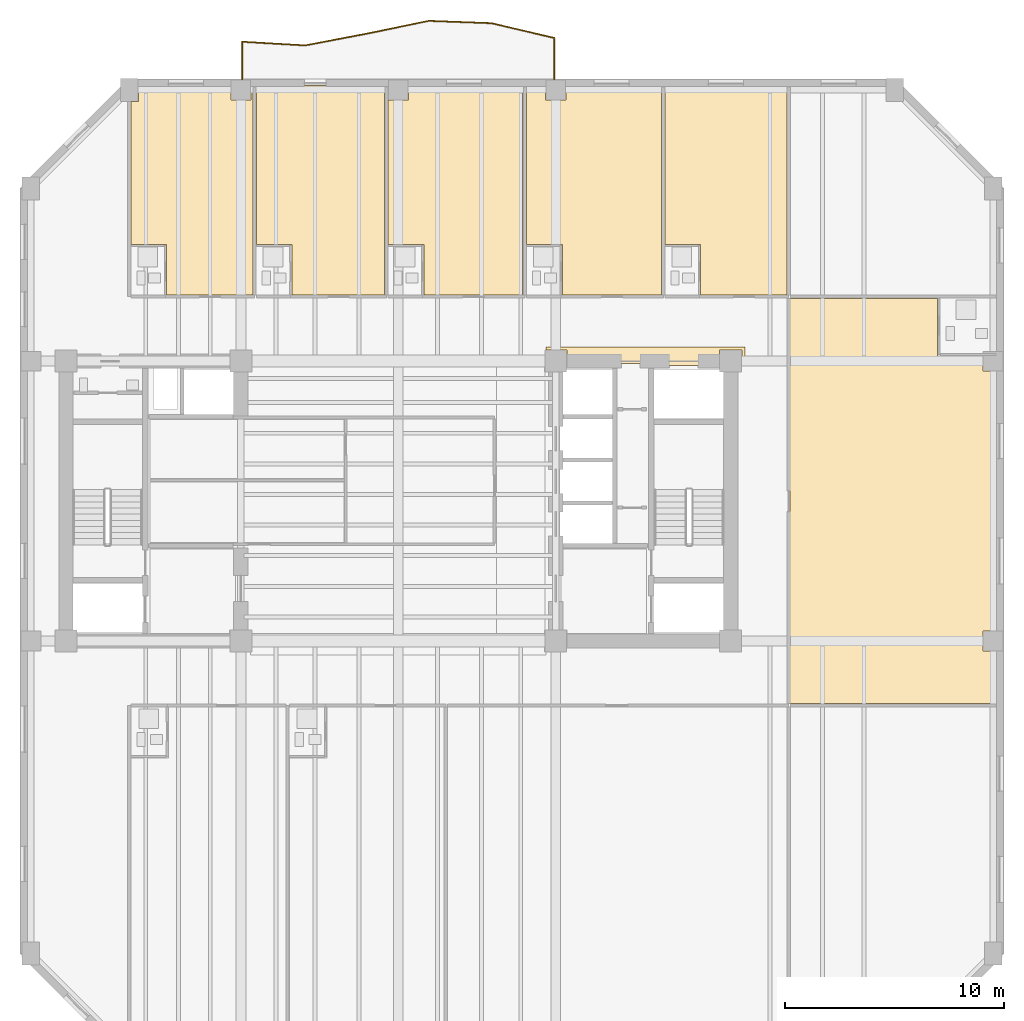
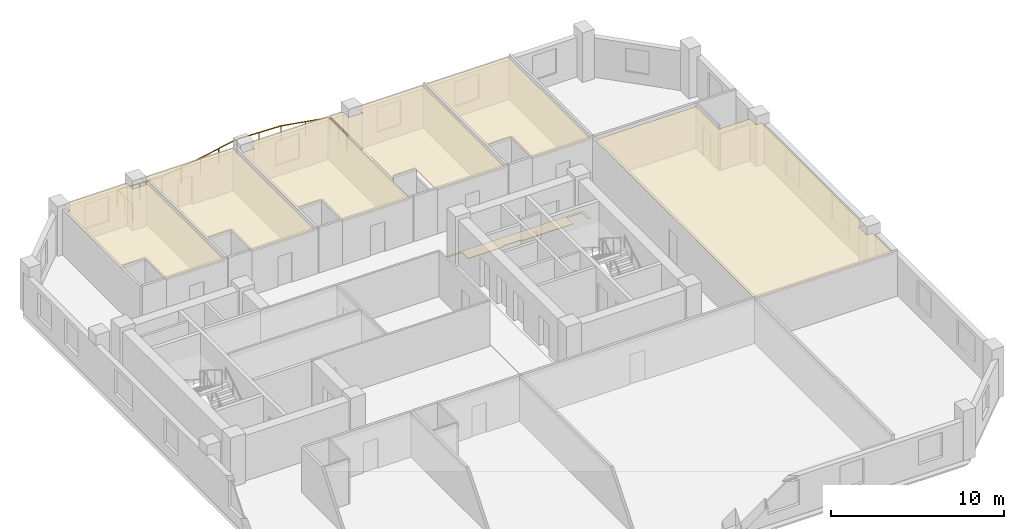
# One storey, part 9 of 10: 7 coverings, 1 railing.
"""IFC4 building model written with IfcOpenShell, lengths in metres."""

from ifc_helpers import new_model, si_unit, direction, frame, origin, origin_2d, place, context, subcontext, project, spatial, polyline, circle, outline, extrude, material, layer, layer_set, type_object, element, save


model = new_model("IFC4")

# Units and contexts
model_context = context("Model", 3, precision=1e-05, world=origin(), true_north=direction((0.0, 1.0)))
body_context = subcontext(model_context, "Body", "Model", "MODEL_VIEW")
ifc_project = project(units=[si_unit("LENGTHUNIT", "METRE"), si_unit("AREAUNIT", "SQUARE_METRE"), si_unit("VOLUMEUNIT", "CUBIC_METRE"), si_unit("PLANEANGLEUNIT", "RADIAN"), si_unit("MASSUNIT", "GRAM", prefix="KILO")], contexts=[model_context])

# Site, building, storey
site_placement = place(None, origin())
site = spatial("IfcSite", under=ifc_project, at=site_placement, CompositionType="ELEMENT")
building_placement = place(site_placement, origin())
building = spatial("IfcBuilding", under=site, at=building_placement, Name="Kranthara Brick Stack", CompositionType="ELEMENT")
storey_placement = place(building_placement, frame((0.0, 0.0, 144.800048828125)))
storey = spatial("IfcBuildingStorey", under=building, at=storey_placement, Name="L36", CompositionType="ELEMENT", Elevation=144.800048828125)

# Coverings
ifc_material_1 = material(Name="Perforated mineral-fibre acoustic ceiling tile", Category="other")
ifc_layer_1 = layer(ifc_material_1, 0.02490234375)
ifc_layer_set_1 = layer_set([ifc_layer_1], Name="Perforated mineral-fibre acoustic ceiling tile")
covering_type_1 = type_object("IfcCoveringType", Name="COV-CEIL-ACOUSTIC", PredefinedType="CEILING", material=ifc_layer_set_1)
covering_1_placement = place(storey_placement, frame((0.0, 0.0, 2.929931640625)))
element("IfcCovering", 1, at=covering_1_placement, inside=storey, type_object=covering_type_1, Name="L36 Room L36-04 Hotel Guest Room Acoustic Ceiling", PredefinedType="CEILING", context=body_context, shape_type="SweptSolid", body=[
    extrude(outline(polyline([(21.347900390625, 36.6298828125), (17.409912109375, 36.6298828125), (17.409912109375, 38.93994140625), (15.780029296875, 38.93994140625), (15.780029296875, 45.465087890625), (16.110107421875, 45.465087890625), (16.110107421875, 46.199951171875), (20.340087890625, 46.199951171875), (20.340087890625, 45.5400390625), (21.260009765625, 45.5400390625), (21.260009765625, 46.199951171875), (21.347900390625, 46.199951171875), (21.347900390625, 36.6298828125)])), origin(), (0.0, 0.0, 1.0), 0.02490234375),
])
covering_2_placement = place(storey_placement, frame((0.0, 0.0, 2.929931640625)))
element("IfcCovering", 2, at=covering_2_placement, inside=storey, type_object=covering_type_1, Name="L36 Room L36-05 Hotel Guest Room Acoustic Ceiling", PredefinedType="CEILING", context=body_context, shape_type="SweptSolid", body=[
    extrude(outline(polyline([(23.137939453125, 36.6298828125), (27.37890625, 36.6298828125), (27.37890625, 46.199951171875), (21.508056640625, 46.199951171875), (21.508056640625, 38.93994140625), (23.137939453125, 38.93994140625), (23.137939453125, 36.6298828125)])), origin(), (0.0, 0.0, 1.0), 0.02490234375),
])
covering_3_placement = place(storey_placement, frame((0.0, 0.0, 2.929931640625)))
element("IfcCovering", 3, at=covering_3_placement, inside=storey, type_object=covering_type_1, Name="L36 Room L36-06 Hotel Guest Room Acoustic Ceiling", PredefinedType="CEILING", context=body_context, shape_type="SweptSolid", body=[
    extrude(outline(polyline([(33.7099609375, 46.199951171875), (33.7099609375, 36.6298828125), (29.1689453125, 36.6298828125), (29.1689453125, 38.93994140625), (27.5390625, 38.93994140625), (27.5390625, 46.199951171875), (27.5400390625, 46.199951171875), (27.5400390625, 45.5400390625), (28.4599609375, 45.5400390625), (28.4599609375, 46.199951171875), (33.7099609375, 46.199951171875)])), origin(), (0.0, 0.0, 1.0), 0.02490234375),
])
covering_4_placement = place(storey_placement, frame((0.0, 0.0, 2.929931640625)))
element("IfcCovering", 4, at=covering_4_placement, inside=storey, type_object=covering_type_1, Name="L36 Room L36-07 Hotel Guest Room Acoustic Ceiling", PredefinedType="CEILING", context=body_context, shape_type="SweptSolid", body=[
    extrude(outline(polyline([(40.041015625, 46.199951171875), (40.041015625, 36.6298828125), (35.5, 36.6298828125), (35.5, 38.93994140625), (33.8701171875, 38.93994140625), (33.8701171875, 46.199951171875), (34.739990234375, 46.199951171875), (34.739990234375, 45.5400390625), (35.659912109375, 45.5400390625), (35.659912109375, 46.199951171875), (40.041015625, 46.199951171875)])), origin(), (0.0, 0.0, 1.0), 0.02490234375),
])
covering_5_placement = place(storey_placement, frame((0.0, 0.0, 2.929931640625)))
element("IfcCovering", 5, at=covering_5_placement, inside=storey, type_object=covering_type_1, Name="L36 Room L36-08 Corner Junior Suite Acoustic Ceiling", PredefinedType="CEILING", context=body_context, shape_type="SweptSolid", body=[
    extrude(outline(polyline([(41.8310546875, 36.6298828125), (45.77001953125, 36.6298828125), (45.77001953125, 46.199951171875), (40.200927734375, 46.199951171875), (40.200927734375, 38.93994140625), (41.8310546875, 38.93994140625), (41.8310546875, 36.6298828125)])), origin(), (0.0, 0.0, 1.0), 0.02490234375),
])
covering_6_placement = place(storey_placement, frame((0.0, 0.0, 2.929931640625)))
element("IfcCovering", 6, at=covering_6_placement, inside=storey, type_object=covering_type_1, Name="L36 Room L36-09 Corner Junior Suite Acoustic Ceiling", PredefinedType="CEILING", context=body_context, shape_type="SweptSolid", body=[
    extrude(outline(polyline([(45.919921875, 17.929931640625), (45.919921875, 36.469970703125), (52.669921875, 36.469970703125), (52.669921875, 33.840087890625), (54.739990234375, 33.840087890625), (54.739990234375, 33.139892578125), (55.1298828125, 33.139892578125), (55.1298828125, 21.260009765625), (54.739990234375, 21.260009765625), (54.739990234375, 20.340087890625), (55.1298828125, 20.340087890625), (55.1298828125, 17.929931640625), (45.919921875, 17.929931640625)])), origin(), (0.0, 0.0, 1.0), 0.02490234375),
])
ifc_material_2 = material(Name="Honed terrazzo and porcelain floor finish", Category="stone")
ifc_layer_2 = layer(ifc_material_2, 0.030029296875)
ifc_layer_set_2 = layer_set([ifc_layer_2], Name="Honed terrazzo and porcelain floor finish")
covering_type_2 = type_object("IfcCoveringType", Name="COV-FLOR-STONE", PredefinedType="FLOORING", material=ifc_layer_set_2)
covering_7_placement = place(storey_placement, origin())
element("IfcCovering", 7, at=covering_7_placement, inside=storey, type_object=covering_type_2, Name="L36 Lift Lobby Stone Flooring", PredefinedType="FLOORING", context=body_context, shape_type="SweptSolid", body=[
    extrude(outline(polyline([(43.7099609375, 33.39990234375), (43.7099609375, 34.110107421875), (42.68994140625, 34.110107421875), (42.68994140625, 33.39990234375), (39.35009765625, 33.39990234375), (39.35009765625, 33.47998046875), (38.050048828125, 33.47998046875), (38.050048828125, 33.39990234375), (35.7099609375, 33.39990234375), (35.7099609375, 34.110107421875), (34.75, 34.110107421875), (34.75, 34.25), (43.85009765625, 34.25), (43.85009765625, 33.39990234375), (43.7099609375, 33.39990234375)])), origin(), (0.0, 0.0, 1.0), 0.030029296875),
])

# Railing
ifc_material_3 = material(Name="Bronze anodised aluminium and laminated glass balustrade", Category="aluminium")
railing_type = type_object("IfcRailingType", Name="RL-BALC-1120", PredefinedType="BALUSTRADE", material=ifc_material_3)
railing_placement = place(storey_placement, frame((20.860107421875, 46.43994140625, 0.0)))
element("IfcRailing", 8, at=railing_placement, inside=storey, type_object=railing_type, Name="L36 North Rippling Balcony Balustrade", PredefinedType="BALUSTRADE", context=body_context, shape_type="SweptSolid", body=[
    extrude(circle(Radius=0.02392578125, at=origin_2d()), frame((0.0, 0.0, 1.09619140625), z_axis=(0.0, 1.0, 0.0), x_axis=(-1.0, 0.0, 0.0)), (0.0, 0.0, 1.0), 1.765625),
    extrude(circle(Radius=0.02392578125, at=origin_2d()), frame((0.0, 1.765625, 1.09619140625), z_axis=(0.998327941102, -0.05780416953, 0.0), x_axis=(0.05780416953, 0.998327941102, 0.0)), (0.0, 0.0, 1.0), 2.884765625),
    extrude(circle(Radius=0.02392578125, at=origin_2d()), frame((2.8798828125, 1.598876953125, 1.09619140625), z_axis=(0.982353889836, 0.187031642042, 0.0), x_axis=(-0.187031642042, 0.982353889836, 0.0)), (0.0, 0.0, 1.0), 2.927978515625),
    extrude(circle(Radius=0.02392578125, at=origin_2d()), frame((5.756103515625, 2.146484375, 1.09619140625), z_axis=(0.979209730576, 0.202850446253, 0.0), x_axis=(-0.202850446253, 0.979209730576, 0.0)), (0.0, 0.0, 1.0), 2.83544921875),
    extrude(circle(Radius=0.02392578125, at=origin_2d()), frame((8.53271484375, 2.7216796875, 1.09619140625), z_axis=(0.999306068928, -0.037247558352, 0.0), x_axis=(0.037247558352, 0.999306068928, 0.0)), (0.0, 0.0, 1.0), 2.870849609375),
    extrude(circle(Radius=0.02392578125, at=origin_2d()), frame((11.401611328125, 2.61474609375, 1.09619140625), z_axis=(0.973437737904, -0.228951895437, 0.0), x_axis=(0.228951895437, 0.973437737904, 0.0)), (0.0, 0.0, 1.0), 2.95703125),
    extrude(circle(Radius=0.02392578125, at=origin_2d()), frame((14.280029296875, 1.937744140625, 1.09619140625), z_axis=(-0.000125992187, -0.999999992063, 0.0), x_axis=(0.999999992063, -0.000125992187, 0.0)), (0.0, 0.0, 1.0), 1.937744140625),
    extrude(circle(Radius=0.02099609375, at=origin_2d()), origin(), (0.0, 0.0, 1.0), 1.072021484375),
    extrude(circle(Radius=0.02099609375, at=origin_2d()), frame((0.0, 0.8828125, 0.0)), (0.0, 0.0, 1.0), 1.072021484375),
    extrude(circle(Radius=0.02099609375, at=origin_2d()), frame((0.0, 1.765625, 0.0)), (0.0, 0.0, 1.0), 1.072021484375),
    extrude(circle(Radius=0.02099609375, at=origin_2d()), frame((1.43994140625, 1.68212890625, 0.0)), (0.0, 0.0, 1.0), 1.072021484375),
    extrude(circle(Radius=0.02099609375, at=origin_2d()), frame((2.8798828125, 1.598876953125, 0.0)), (0.0, 0.0, 1.0), 1.072021484375),
    extrude(circle(Radius=0.02099609375, at=origin_2d()), frame((4.31787109375, 1.87255859375, 0.0)), (0.0, 0.0, 1.0), 1.072021484375),
    extrude(circle(Radius=0.02099609375, at=origin_2d()), frame((5.756103515625, 2.146484375, 0.0)), (0.0, 0.0, 1.0), 1.072021484375),
    extrude(circle(Radius=0.02099609375, at=origin_2d()), frame((7.14453125, 2.43408203125, 0.0)), (0.0, 0.0, 1.0), 1.072021484375),
    extrude(circle(Radius=0.02099609375, at=origin_2d()), frame((8.53271484375, 2.7216796875, 0.0)), (0.0, 0.0, 1.0), 1.072021484375),
    extrude(circle(Radius=0.02099609375, at=origin_2d()), frame((9.96728515625, 2.668212890625, 0.0)), (0.0, 0.0, 1.0), 1.072021484375),
    extrude(circle(Radius=0.02099609375, at=origin_2d()), frame((11.401611328125, 2.61474609375, 0.0)), (0.0, 0.0, 1.0), 1.072021484375),
    extrude(circle(Radius=0.02099609375, at=origin_2d()), frame((12.8408203125, 2.2763671875, 0.0)), (0.0, 0.0, 1.0), 1.072021484375),
    extrude(circle(Radius=0.02099609375, at=origin_2d()), frame((14.280029296875, 1.937744140625, 0.0)), (0.0, 0.0, 1.0), 1.072021484375),
    extrude(circle(Radius=0.02099609375, at=origin_2d()), frame((14.27978515625, 0.96875, 0.0)), (0.0, 0.0, 1.0), 1.072021484375),
    extrude(circle(Radius=0.02099609375, at=origin_2d()), frame((14.27978515625, 0.0, 0.0)), (0.0, 0.0, 1.0), 1.072021484375),
])

save(model, "model.ifc")
